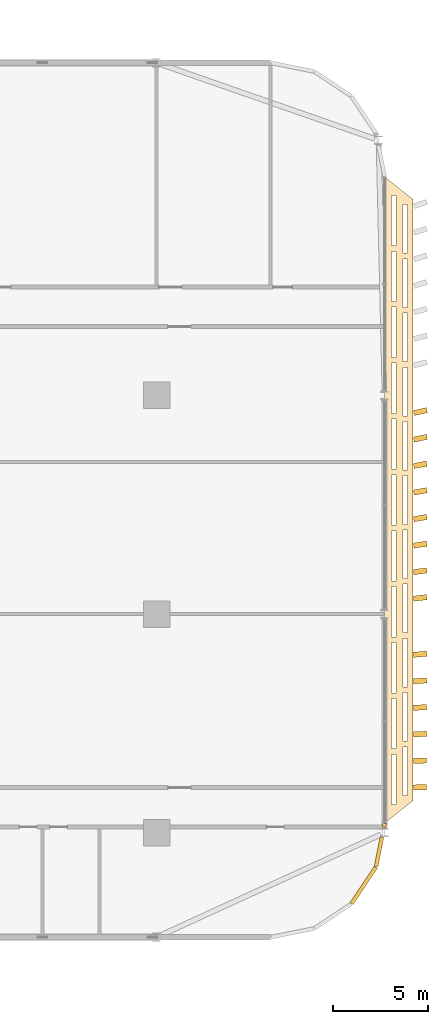
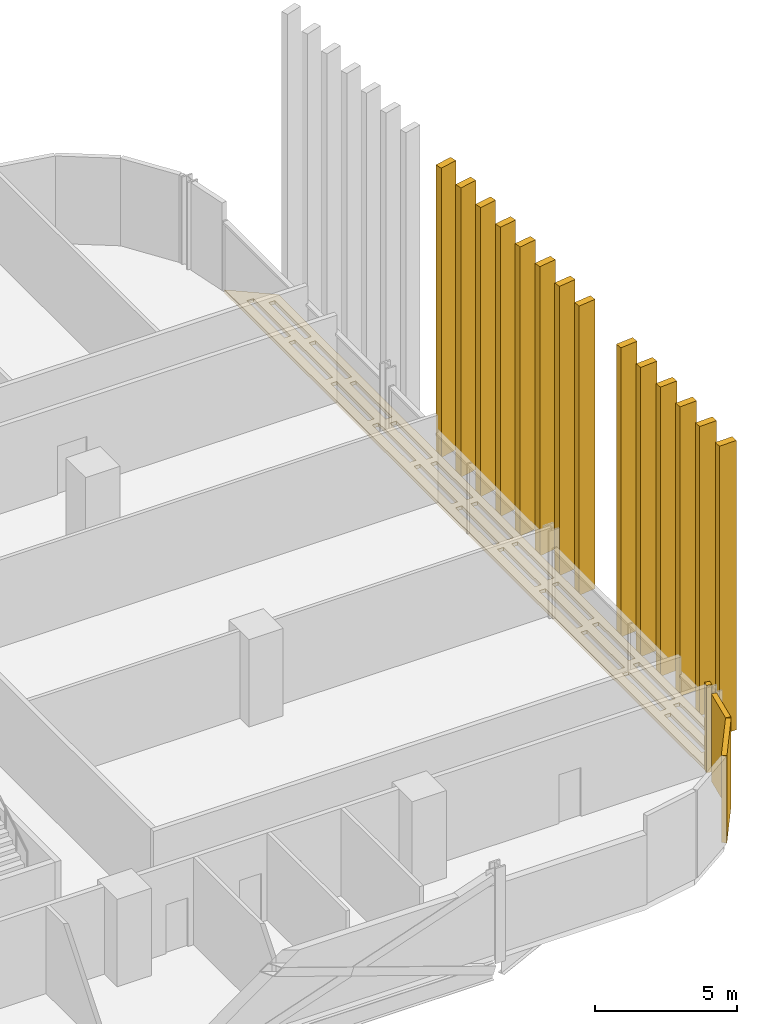
# One storey, part 30 of 31: 18 coverings.
"""IFC4 building model written with IfcOpenShell, lengths in metres."""

from ifc_helpers import new_model, si_unit, direction, frame, origin, origin_2d, place, context, subcontext, project, spatial, polyline, rectangle, outline, extrude, material, layer, layer_set, type_object, element, save


model = new_model("IFC4")

# Units and contexts
model_context = context("Model", 3, precision=1e-05, world=origin(), true_north=direction((0.0, 1.0)))
body_context = subcontext(model_context, "Body", "Model", "MODEL_VIEW")
ifc_project = project(units=[si_unit("LENGTHUNIT", "METRE"), si_unit("AREAUNIT", "SQUARE_METRE"), si_unit("VOLUMEUNIT", "CUBIC_METRE"), si_unit("PLANEANGLEUNIT", "RADIAN"), si_unit("MASSUNIT", "GRAM", prefix="KILO")], contexts=[model_context])

# Site, building, storey
site_placement = place(None, origin())
site = spatial("IfcSite", under=ifc_project, at=site_placement, CompositionType="ELEMENT")
building_placement = place(site_placement, origin())
building = spatial("IfcBuilding", under=site, at=building_placement, Name="Mahtab Terrace Research Tower", CompositionType="ELEMENT")
storey_placement = place(building_placement, frame((0.0, 0.0, 101.199951171875)))
storey = spatial("IfcBuildingStorey", under=building, at=storey_placement, Name="L23", CompositionType="ELEMENT", Elevation=101.199951171875)

# Coverings
ifc_material_1 = material(Name="Black aluminium cladding panel", Category="aluminium")
ifc_layer_1 = layer(ifc_material_1, 0.199951171875)
ifc_layer_set_1 = layer_set([ifc_layer_1], Name="Black metal corner cladding 200")
covering_type_1 = type_object("IfcCoveringType", Name="Black metal corner cladding 200", PredefinedType="CLADDING", material=ifc_layer_set_1)
covering_1_placement = place(storey_placement, frame((52.89306640625, -14.26953125, 0.0), z_axis=(0.0, 0.0, 1.0), x_axis=(0.555291490808, 0.831655794326, 0.0)))
element("IfcCovering", 1, at=covering_1_placement, inside=storey, type_object=covering_type_1, Name="Corner cladding L23 33", PredefinedType="CLADDING", context=body_context, shape_type="SweptSolid", body=[
    extrude(rectangle(XDim=2.30126953125, YDim=0.199951171875, at=origin_2d()), origin(), (0.0, 0.0, 1.0), 3.760009765625),
])
covering_2_placement = place(storey_placement, frame((53.699462890625, -12.51025390625, 0.0), z_axis=(0.0, 0.0, 1.0), x_axis=(0.195212442692, 0.980760981187, 0.0)))
element("IfcCovering", 2, at=covering_2_placement, inside=storey, type_object=covering_type_1, Name="Corner cladding L23 34", PredefinedType="CLADDING", context=body_context, shape_type="SweptSolid", body=[
    extrude(rectangle(XDim=1.562744140625, YDim=0.199951171875, at=origin_2d()), origin(), (0.0, 0.0, 1.0), 3.760009765625),
])
covering_3_placement = place(storey_placement, frame((53.977294921875, -11.114013671875, 0.0), z_axis=(0.0, 0.0, 1.0), x_axis=(0.195212442692, 0.980760981187, 0.0)))
element("IfcCovering", 3, at=covering_3_placement, inside=storey, type_object=covering_type_1, Name="Corner cladding L23 35", PredefinedType="CLADDING", context=body_context, shape_type="SweptSolid", body=[
    extrude(rectangle(XDim=0.212158203125, YDim=0.199951171875, at=origin_2d()), origin(), (0.0, 0.0, 1.0), 3.760009765625),
])
ifc_material_2 = material(Name="Black anodised aluminium", Category="aluminium")
ifc_layer_2 = layer(ifc_material_2, 0.14990234375)
ifc_layer_set_2 = layer_set([ifc_layer_2], Name="Horizontal sunshade band")
covering_type_2 = type_object("IfcCoveringType", Name="Horizontal sunshade band", PredefinedType="CLADDING", material=ifc_layer_set_2)
covering_4_placement = place(storey_placement, frame((0.0, 0.0, -0.14990234375)))
element("IfcCovering", 4, at=covering_4_placement, inside=storey, type_object=covering_type_2, Name="Sunshade band L23 36", PredefinedType="CLADDING", context=body_context, shape_type="SweptSolid", body=[
    extrude(outline(polyline([(54.0, -11.0), (54.0, 23.0), (55.5, 21.800048828125), (55.5, -9.800048828125), (54.0, -11.0)]), holes=[polyline([(54.35009765625, -10.02001953125), (54.35009765625, -7.3798828125), (54.60009765625, -7.3798828125), (54.60009765625, -10.02001953125), (54.35009765625, -10.02001953125)]), polyline([(54.35009765625, -7.080078125), (54.35009765625, -4.43994140625), (54.60009765625, -4.43994140625), (54.60009765625, -7.080078125), (54.35009765625, -7.080078125)]), polyline([(54.35009765625, -4.139892578125), (54.35009765625, -1.5), (54.60009765625, -1.5), (54.60009765625, -4.139892578125), (54.35009765625, -4.139892578125)]), polyline([(54.35009765625, -1.199951171875), (54.35009765625, 1.43994140625), (54.60009765625, 1.43994140625), (54.60009765625, -1.199951171875), (54.35009765625, -1.199951171875)]), polyline([(54.35009765625, 1.739990234375), (54.35009765625, 4.3798828125), (54.60009765625, 4.3798828125), (54.60009765625, 1.739990234375), (54.35009765625, 1.739990234375)]), polyline([(54.35009765625, 4.679931640625), (54.35009765625, 7.320068359375), (54.60009765625, 7.320068359375), (54.60009765625, 4.679931640625), (54.35009765625, 4.679931640625)]), polyline([(54.35009765625, 7.6201171875), (54.35009765625, 10.260009765625), (54.60009765625, 10.260009765625), (54.60009765625, 7.6201171875), (54.35009765625, 7.6201171875)]), polyline([(54.35009765625, 10.56005859375), (54.35009765625, 13.199951171875), (54.60009765625, 13.199951171875), (54.60009765625, 10.56005859375), (54.35009765625, 10.56005859375)]), polyline([(54.35009765625, 13.5), (54.35009765625, 16.139892578125), (54.60009765625, 16.139892578125), (54.60009765625, 13.5), (54.35009765625, 13.5)]), polyline([(54.35009765625, 16.43994140625), (54.35009765625, 19.080078125), (54.60009765625, 19.080078125), (54.60009765625, 16.43994140625), (54.35009765625, 16.43994140625)]), polyline([(54.35009765625, 19.3798828125), (54.35009765625, 22.02001953125), (54.60009765625, 22.02001953125), (54.60009765625, 19.3798828125), (54.35009765625, 19.3798828125)]), polyline([(54.949951171875, -9.5400390625), (54.949951171875, -6.987060546875), (55.199951171875, -6.987060546875), (55.199951171875, -9.5400390625), (54.949951171875, -9.5400390625)]), polyline([(54.949951171875, -6.68701171875), (54.949951171875, -4.135009765625), (55.199951171875, -4.135009765625), (55.199951171875, -6.68701171875), (54.949951171875, -6.68701171875)]), polyline([(54.949951171875, -3.8349609375), (54.949951171875, -1.281982421875), (55.199951171875, -1.281982421875), (55.199951171875, -3.8349609375), (54.949951171875, -3.8349609375)]), polyline([(54.949951171875, -0.98193359375), (54.949951171875, 1.571044921875), (55.199951171875, 1.571044921875), (55.199951171875, -0.98193359375), (54.949951171875, -0.98193359375)]), polyline([(54.949951171875, 1.87109375), (54.949951171875, 4.424072265625), (55.199951171875, 4.424072265625), (55.199951171875, 1.87109375), (54.949951171875, 1.87109375)]), polyline([(54.949951171875, 4.72412109375), (54.949951171875, 7.27587890625), (55.199951171875, 7.27587890625), (55.199951171875, 4.72412109375), (54.949951171875, 4.72412109375)]), polyline([(54.949951171875, 7.575927734375), (54.949951171875, 10.12890625), (55.199951171875, 10.12890625), (55.199951171875, 7.575927734375), (54.949951171875, 7.575927734375)]), polyline([(54.949951171875, 10.428955078125), (54.949951171875, 12.98193359375), (55.199951171875, 12.98193359375), (55.199951171875, 10.428955078125), (54.949951171875, 10.428955078125)]), polyline([(54.949951171875, 13.281982421875), (54.949951171875, 15.8349609375), (55.199951171875, 15.8349609375), (55.199951171875, 13.281982421875), (54.949951171875, 13.281982421875)]), polyline([(54.949951171875, 16.135009765625), (54.949951171875, 18.68701171875), (55.199951171875, 18.68701171875), (55.199951171875, 16.135009765625), (54.949951171875, 16.135009765625)]), polyline([(54.949951171875, 18.987060546875), (54.949951171875, 21.5400390625), (55.199951171875, 21.5400390625), (55.199951171875, 18.987060546875), (54.949951171875, 18.987060546875)])]), origin(), (0.0, 0.0, 1.0), 0.14990234375),
])
ifc_material_3 = material(Name="Bronze anodised aluminium", Category="aluminium")
ifc_layer_3 = layer(ifc_material_3, 0.1201171875)
ifc_layer_set_3 = layer_set([ifc_layer_3], Name="Vertical fin 700")
covering_type_3 = type_object("IfcCoveringType", Name="Vertical fin 700", PredefinedType="CLADDING", material=ifc_layer_set_3)
for number, where, z_axis, x_axis, name in (
    (5, (55.8525390625, -9.114013671875, -0.14990234375), (0.0, 0.0, 1.0), (-0.019361678155, 0.99981254514, 0.0), "Fin L23 E1"),
    (6, (55.8544921875, -7.714111328125, -0.14990234375), (0.0, 0.0, 1.0), (-0.033729788769, 0.999430988788, 0.0), "Fin L23 E2"),
    (7, (55.8564453125, -6.31396484375, -0.14990234375), (0.0, 0.0, 1.0), (-0.048090931225, 0.998842961798, 0.0), "Fin L23 E3"),
    (8, (55.858154296875, -4.9140625, -0.14990234375), (0.0, 0.0, 1.0), (-0.062442138662, 0.998048585651, 0.0), "Fin L23 E4"),
    (9, (55.859619140625, -3.513916015625, -0.14990234375), (0.0, 0.0, 1.0), (-0.076780446291, 0.997048024454, 0.0), "Fin L23 E5"),
    (10, (55.861328125, -2.114013671875, -0.14990234375), (0.0, 0.0, 1.0), (-0.091102891987, 0.995841484912, 0.0), "Fin L23 E6"),
    (11, (55.864501953125, 0.85009765625, -0.14990234375), (0.0, 0.0, 1.0), (-0.121359821532, 0.992608580316, 0.0), "Fin L23 E1"),
    (12, (55.86572265625, 2.25, -0.14990234375), (0.0, 0.0, 1.0), (-0.135613855178, 0.990761768683, 0.0), "Fin L23 E2"),
    (13, (55.866943359375, 3.64990234375, -0.14990234375), (0.0, 0.0, 1.0), (-0.149839872602, 0.988710277371, 0.0), "Fin L23 E3"),
    (14, (55.8681640625, 5.050048828125, -0.14990234375), (0.0, 0.0, 1.0), (-0.164034934879, 0.986454530193, 0.0), "Fin L23 E4"),
    (15, (55.869384765625, 6.449951171875, -0.14990234375), (0.0, 0.0, 1.0), (-0.178196109459, 0.983994993165, 0.0), "Fin L23 E5"),
    (16, (55.870361328125, 7.85009765625, -0.14990234375), (0.0, 0.0, 1.0), (-0.192320470844, 0.981332174391, 0.0), "Fin L23 E6"),
    (17, (55.871337890625, 9.25, -0.14990234375), (0.0, 0.0, 1.0), (-0.206405101092, 0.97846662398, 0.0), "Fin L23 E7"),
    (18, (55.872314453125, 10.64990234375, -0.14990234375), (0.0, 0.0, 1.0), (-0.220447090484, 0.975398933923, 0.0), "Fin L23 E8"),
):
    element("IfcCovering", number, at=place(storey_placement, frame(where, z_axis=z_axis, x_axis=x_axis)), inside=storey, type_object=covering_type_3, Name=name, PredefinedType="CLADDING", context=body_context, shape_type="SweptSolid", body=[
        extrude(rectangle(XDim=0.280029296875, YDim=0.699951171875, at=origin_2d()), origin(), (0.0, 0.0, 1.0), 12.449951171875),
    ])

save(model, "model.ifc")
